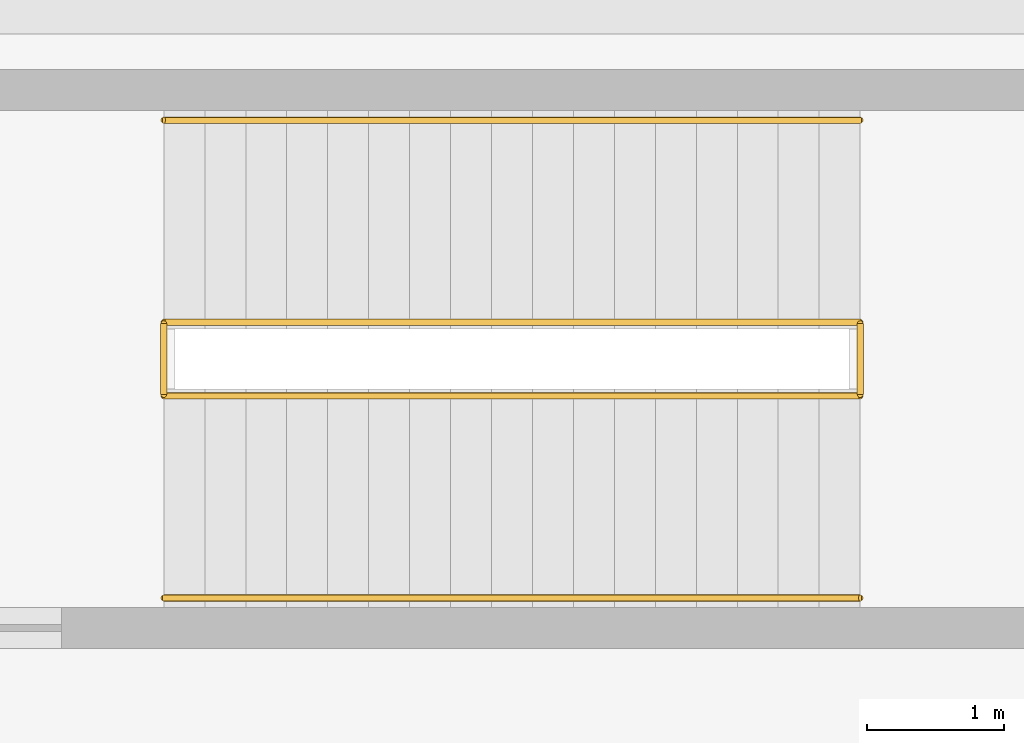
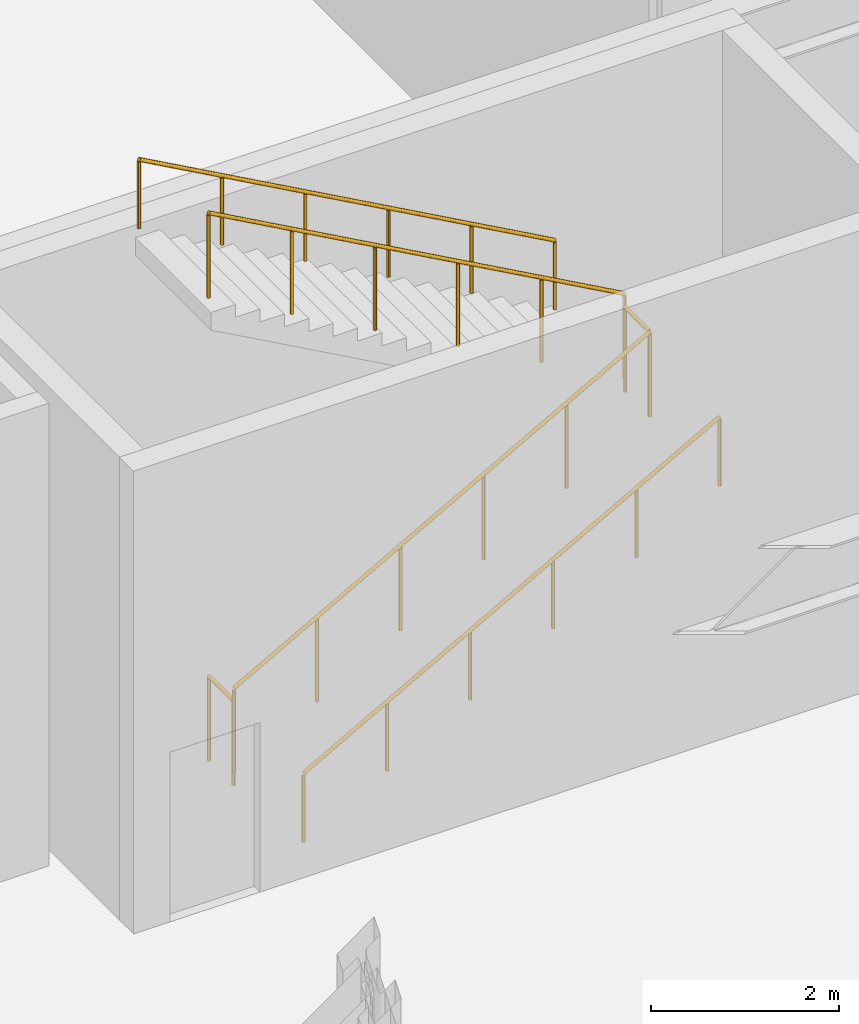
# One storey, part 42 of 44: 6 railings.
"""IFC4 building model written with IfcOpenShell, lengths in metres."""

from ifc_helpers import new_model, si_unit, direction, frame, origin, origin_2d, place, context, subcontext, project, spatial, circle, extrude, material, type_object, element, save


model = new_model("IFC4")

# Units and contexts
model_context = context("Model", 3, precision=1e-05, world=origin(), true_north=direction((0.0, 1.0)))
body_context = subcontext(model_context, "Body", "Model", "MODEL_VIEW")
ifc_project = project(units=[si_unit("LENGTHUNIT", "METRE"), si_unit("AREAUNIT", "SQUARE_METRE"), si_unit("VOLUMEUNIT", "CUBIC_METRE"), si_unit("PLANEANGLEUNIT", "RADIAN"), si_unit("MASSUNIT", "GRAM", prefix="KILO")], contexts=[model_context])

# Site, building, storey
site_placement = place(None, origin())
site = spatial("IfcSite", under=ifc_project, at=site_placement, CompositionType="ELEMENT")
building_placement = place(site_placement, origin())
building = spatial("IfcBuilding", under=site, at=building_placement, Name="Kaldorvane Square Convention Centre", CompositionType="ELEMENT")
storey_placement = place(building_placement, origin())
storey = spatial("IfcBuildingStorey", under=building, at=storey_placement, Name="L00", CompositionType="ELEMENT", Elevation=0.0)

# Railings
ifc_material = material(Name="Architectural Painted Steel", Category="steel")
railing_type_1 = type_object("IfcRailingType", Name="RL-GUARD-1120", PredefinedType="BALUSTRADE", material=ifc_material)
for number, where, name in (
    (1, (67.89999389648438, 102.16999816894531, 0.0), "Tower Exit Stair T2 Floor Well Guard (L00)"),
    (2, (73.0, 102.16999816894531, 3.0), "Tower Exit Stair T2 Half-Landing Guard (L00)"),
):
    element("IfcRailing", number, at=place(storey_placement, frame(where)), inside=storey, type_object=railing_type_1, Name=name, PredefinedType="BALUSTRADE", context=body_context, shape_type="SweptSolid", body=[
        extrude(circle(Radius=0.0240020751953125, at=origin_2d()), frame((0.0, 0.0, 1.0959930419921875), z_axis=(0.0, 1.0, 0.0), x_axis=(-1.0, 0.0, 0.0)), (0.0, 0.0, 1.0), 0.5200042724609375),
        extrude(circle(Radius=0.02099609375, at=origin_2d()), origin(), (0.0, 0.0, 1.0), 1.071990966796875),
        extrude(circle(Radius=0.02099609375, at=origin_2d()), frame((0.0, 0.5200042724609375, 0.0)), (0.0, 0.0, 1.0), 1.071990966796875),
    ])
railing_1_placement = place(storey_placement, frame((67.89999389648438, 102.16000366210938, 0.1666717529296875)))
element("IfcRailing", 3, at=railing_1_placement, inside=storey, type_object=railing_type_1, Name="Tower Exit Stair T2 Flight 1 Guard (L00)", PredefinedType="BALUSTRADE", context=body_context, shape_type="SweptSolid", body=[
    extrude(circle(Radius=0.0240020751953125, at=origin_2d()), frame((0.0, 0.0, 1.0959930419921875), z_axis=(0.874157892962, 0.0, 0.485641820864), x_axis=(0.0, 1.0, 0.0)), (0.0, 0.0, 1.0), 5.834197998046875),
    extrude(circle(Radius=0.02099609375, at=origin_2d()), origin(), (0.0, 0.0, 1.0), 1.071990966796875),
    extrude(circle(Radius=0.02099609375, at=origin_2d()), frame((1.0200042724609375, 0.0, 0.5666656494140625)), (0.0, 0.0, 1.0), 1.071990966796875),
    extrude(circle(Radius=0.02099609375, at=origin_2d()), frame((2.040008544921875, 0.0, 1.133331298828125)), (0.0, 0.0, 1.0), 1.071990966796875),
    extrude(circle(Radius=0.02099609375, at=origin_2d()), frame((3.05999755859375, 0.0, 1.6999969482421875)), (0.0, 0.0, 1.0), 1.071990966796875),
    extrude(circle(Radius=0.02099609375, at=origin_2d()), frame((4.0800018310546875, 0.0, 2.26666259765625)), (0.0, 0.0, 1.0), 1.071990966796875),
    extrude(circle(Radius=0.02099609375, at=origin_2d()), frame((5.100006103515625, 0.0, 2.8333282470703125)), (0.0, 0.0, 1.0), 1.071990966796875),
])
railing_2_placement = place(storey_placement, frame((73.0, 102.69999694824219, 3.1666717529296875)))
element("IfcRailing", 4, at=railing_2_placement, inside=storey, type_object=railing_type_1, Name="Tower Exit Stair T2 Flight 2 Guard (L00)", PredefinedType="BALUSTRADE", context=body_context, shape_type="SweptSolid", body=[
    extrude(circle(Radius=0.0240020751953125, at=origin_2d()), frame((0.0, 0.0, 1.0959930419921875), z_axis=(-0.874157892962, 0.0, 0.485641820864), x_axis=(0.0, -1.0, 0.0)), (0.0, 0.0, 1.0), 5.834197998046875),
    extrude(circle(Radius=0.02099609375, at=origin_2d()), origin(), (0.0, 0.0, 1.0), 1.071990966796875),
    extrude(circle(Radius=0.02099609375, at=origin_2d()), frame((-1.0200042724609375, 0.0, 0.5666656494140625)), (0.0, 0.0, 1.0), 1.071990966796875),
    extrude(circle(Radius=0.02099609375, at=origin_2d()), frame((-2.040008544921875, 0.0, 1.133331298828125)), (0.0, 0.0, 1.0), 1.071990966796875),
    extrude(circle(Radius=0.02099609375, at=origin_2d()), frame((-3.05999755859375, 0.0, 1.6999969482421875)), (0.0, 0.0, 1.0), 1.071990966796875),
    extrude(circle(Radius=0.02099609375, at=origin_2d()), frame((-4.0800018310546875, 0.0, 2.26666259765625)), (0.0, 0.0, 1.0), 1.071990966796875),
    extrude(circle(Radius=0.02099609375, at=origin_2d()), frame((-5.100006103515625, 0.0, 2.8333282470703125)), (0.0, 0.0, 1.0), 1.071990966796875),
])
railing_type_2 = type_object("IfcRailingType", Name="RL-HAND-915", PredefinedType="HANDRAIL", material=ifc_material)
railing_3_placement = place(storey_placement, frame((67.89999389648438, 100.67999267578125, 0.1666717529296875)))
element("IfcRailing", 5, at=railing_3_placement, inside=storey, type_object=railing_type_2, Name="Tower Exit Stair T2 Wall Handrail 1 (L00)", PredefinedType="HANDRAIL", context=body_context, shape_type="SweptSolid", body=[
    extrude(circle(Radius=0.0240020751953125, at=origin_2d()), frame((0.0, 0.0, 0.8909912109375), z_axis=(0.874157892962, 0.0, 0.485641820864), x_axis=(0.0, 1.0, 0.0)), (0.0, 0.0, 1.0), 5.834197998046875),
    extrude(circle(Radius=0.02099609375, at=origin_2d()), origin(), (0.0, 0.0, 1.0), 0.8669891357421875),
    extrude(circle(Radius=0.02099609375, at=origin_2d()), frame((1.0200042724609375, 0.0, 0.5666656494140625)), (0.0, 0.0, 1.0), 0.8669891357421875),
    extrude(circle(Radius=0.02099609375, at=origin_2d()), frame((2.040008544921875, 0.0, 1.133331298828125)), (0.0, 0.0, 1.0), 0.8669891357421875),
    extrude(circle(Radius=0.02099609375, at=origin_2d()), frame((3.05999755859375, 0.0, 1.6999969482421875)), (0.0, 0.0, 1.0), 0.8669891357421875),
    extrude(circle(Radius=0.02099609375, at=origin_2d()), frame((4.0800018310546875, 0.0, 2.26666259765625)), (0.0, 0.0, 1.0), 0.8669891357421875),
    extrude(circle(Radius=0.02099609375, at=origin_2d()), frame((5.100006103515625, 0.0, 2.8333282470703125)), (0.0, 0.0, 1.0), 0.8669891357421875),
])
railing_4_placement = place(storey_placement, frame((73.0, 104.17999267578125, 3.1666717529296875)))
element("IfcRailing", 6, at=railing_4_placement, inside=storey, type_object=railing_type_2, Name="Tower Exit Stair T2 Wall Handrail 2 (L00)", PredefinedType="HANDRAIL", context=body_context, shape_type="SweptSolid", body=[
    extrude(circle(Radius=0.0240020751953125, at=origin_2d()), frame((0.0, 0.0, 0.8909912109375), z_axis=(-0.874157892962, 0.0, 0.485641820864), x_axis=(0.0, -1.0, 0.0)), (0.0, 0.0, 1.0), 5.834197998046875),
    extrude(circle(Radius=0.02099609375, at=origin_2d()), origin(), (0.0, 0.0, 1.0), 0.8669891357421875),
    extrude(circle(Radius=0.02099609375, at=origin_2d()), frame((-1.0200042724609375, 0.0, 0.5666656494140625)), (0.0, 0.0, 1.0), 0.8669891357421875),
    extrude(circle(Radius=0.02099609375, at=origin_2d()), frame((-2.040008544921875, 0.0, 1.133331298828125)), (0.0, 0.0, 1.0), 0.8669891357421875),
    extrude(circle(Radius=0.02099609375, at=origin_2d()), frame((-3.05999755859375, 0.0, 1.6999969482421875)), (0.0, 0.0, 1.0), 0.8669891357421875),
    extrude(circle(Radius=0.02099609375, at=origin_2d()), frame((-4.0800018310546875, 0.0, 2.26666259765625)), (0.0, 0.0, 1.0), 0.8669891357421875),
    extrude(circle(Radius=0.02099609375, at=origin_2d()), frame((-5.100006103515625, 0.0, 2.8333282470703125)), (0.0, 0.0, 1.0), 0.8669891357421875),
])

save(model, "model.ifc")
